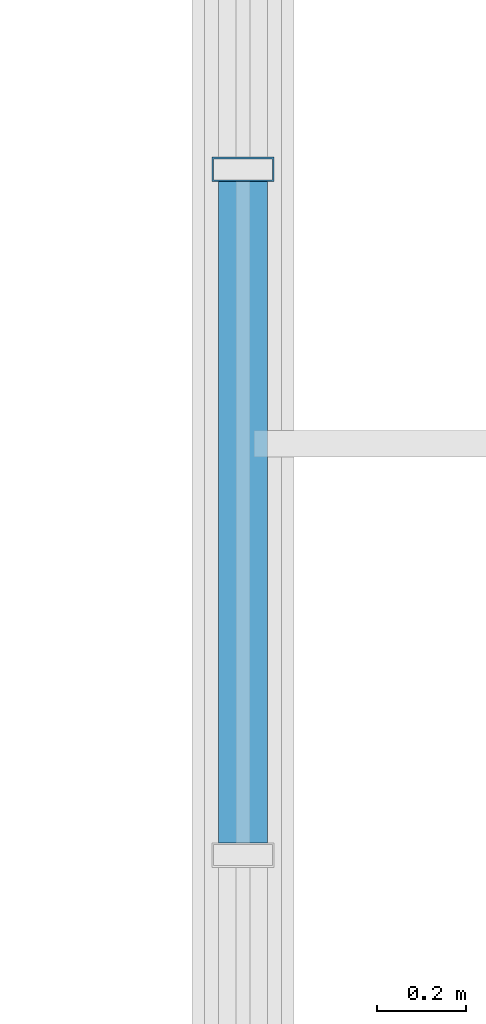
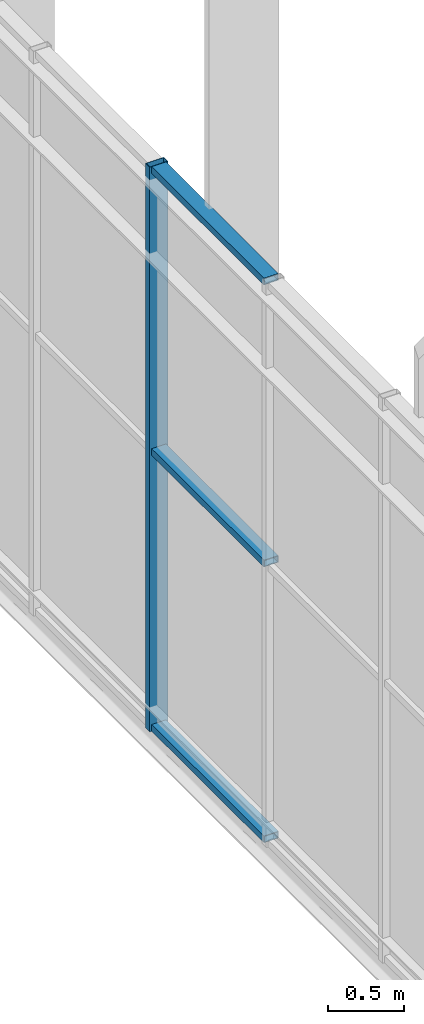
# One storey, part 199 of 324: 4 members, 1 element without a shape of its own.
"""IFC4 building model written with IfcOpenShell, lengths in metres."""

from ifc_helpers import new_model, si_unit, direction, frame, origin, origin_2d, place, context, subcontext, project, spatial, hollow_rectangle, extrude, material, layer, layer_set, material_profile, profile_set, type_object, element, aggregate, save


model = new_model("IFC4")

# Units and contexts
model_context = context("Model", 3, precision=1e-05, world=origin(), true_north=direction((0.0, 1.0)))
body_context = subcontext(model_context, "Body", "Model", "MODEL_VIEW")
ifc_project = project(units=[si_unit("LENGTHUNIT", "METRE"), si_unit("AREAUNIT", "SQUARE_METRE"), si_unit("VOLUMEUNIT", "CUBIC_METRE"), si_unit("PLANEANGLEUNIT", "RADIAN"), si_unit("MASSUNIT", "GRAM", prefix="KILO")], contexts=[model_context])

# Site, building, storey
site_placement = place(None, origin())
site = spatial("IfcSite", under=ifc_project, at=site_placement, CompositionType="ELEMENT")
building_placement = place(site_placement, origin())
building = spatial("IfcBuilding", under=site, at=building_placement, Name="Solvenia Promenade Tram Depot", CompositionType="ELEMENT")
storey_placement = place(building_placement, frame((0.0, 0.0, 4.5)))
storey = spatial("IfcBuildingStorey", under=building, at=storey_placement, Name="L01", CompositionType="ELEMENT", Elevation=4.5)

# Curtain wall, members
ifc_material = material(Name="Anodized aluminium AW-6063 T6", Category="aluminium")
ifc_layer = layer(ifc_material, 0.080078125, Name="Anodized aluminium AW-6063 T6", Category="aluminium")
ifc_layer_set = layer_set([ifc_layer], Name="Anodized aluminium AW-6063 T6")
curtain_wall_type = type_object("IfcCurtainWallType", Name="CW-Clerest-1500", PredefinedType="NOTDEFINED", material=ifc_layer_set)
curtain_wall_placement = place(storey_placement, origin())
curtain_wall = element("IfcCurtainWall", 1, at=curtain_wall_placement, inside=storey, type_object=curtain_wall_type, Name="Curtain Wall CW-V2E-L1-1", PredefinedType="NOTDEFINED")
ifc_material_profile_1 = material_profile(ifc_material, hollow_rectangle(XDim=0.139892578125, YDim=0.054931640625, WallThickness=0.00390625, at=origin_2d()), Name="ALU-M4", Category="aluminium")
ifc_profile_set_1 = profile_set([ifc_material_profile_1], Name="Anodized aluminium AW-6063 T6")
member_type_1 = type_object("IfcMemberType", Name="CWM-Mullion-4", PredefinedType="MULLION", material=ifc_profile_set_1)
member_1_placement = place(storey_placement, frame((186.0, 30.231201171875, -0.35009765625), z_axis=(0.0, 0.0, 1.0), x_axis=(-1.0, 0.0, 0.0)))
member_1 = element("IfcMember", 2, at=member_1_placement, type_object=member_type_1, Name="CW-4 mullion 5", PredefinedType="MULLION", context=body_context, shape_type="SweptSolid", body=[
    extrude(hollow_rectangle(XDim=0.139892578125, YDim=0.054931640625, WallThickness=0.00390625, at=origin_2d()), origin(), (0.0, 0.0, 1.0), 4.550048828125),
])
ifc_material_profile_2 = material_profile(ifc_material, hollow_rectangle(XDim=0.110107421875, YDim=0.054931640625, WallThickness=0.00390625, at=origin_2d()), Name="ALU-T4", Category="aluminium")
ifc_profile_set_2 = profile_set([ifc_material_profile_2], Name="Anodized aluminium AW-6063 T6")
member_type_2 = type_object("IfcMemberType", Name="CWT-Transom-4", PredefinedType="USERDEFINED", material=ifc_profile_set_2)
member_2_placement = place(storey_placement, frame((186.0, 28.720947265625, -0.322509765625), z_axis=(0.0, 1.0, 0.0), x_axis=(-1.0, 0.0, 0.0)))
member_2 = element("IfcMember", 3, at=member_2_placement, type_object=member_type_2, Name="CW-4 transom 4.1", ObjectType="TRANSOM", PredefinedType="USERDEFINED", context=body_context, shape_type="SweptSolid", body=[
    extrude(hollow_rectangle(XDim=0.110107421875, YDim=0.054931640625, WallThickness=0.00390625, at=origin_2d()), origin(), (0.0, 0.0, 1.0), 1.482666015625),
])
member_3_placement = place(storey_placement, frame((186.0, 28.720947265625, 1.89990234375), z_axis=(0.0, 1.0, 0.0), x_axis=(-1.0, 0.0, 0.0)))
member_3 = element("IfcMember", 4, at=member_3_placement, type_object=member_type_2, Name="CW-4 transom 4.2", ObjectType="TRANSOM", PredefinedType="USERDEFINED", context=body_context, shape_type="SweptSolid", body=[
    extrude(hollow_rectangle(XDim=0.110107421875, YDim=0.054931640625, WallThickness=0.00390625, at=origin_2d()), origin(), (0.0, 0.0, 1.0), 1.482666015625),
])
member_4_placement = place(storey_placement, frame((186.0, 28.720947265625, 4.172607421875), z_axis=(0.0, 1.0, 0.0), x_axis=(-1.0, 0.0, 0.0)))
member_4 = element("IfcMember", 5, at=member_4_placement, type_object=member_type_2, Name="CW-4 transom 4.3", ObjectType="TRANSOM", PredefinedType="USERDEFINED", context=body_context, shape_type="SweptSolid", body=[
    extrude(hollow_rectangle(XDim=0.110107421875, YDim=0.054931640625, WallThickness=0.00390625, at=origin_2d()), origin(), (0.0, 0.0, 1.0), 1.482666015625),
])
aggregate(curtain_wall, [member_1, member_2, member_3, member_4])

save(model, "model.ifc")
